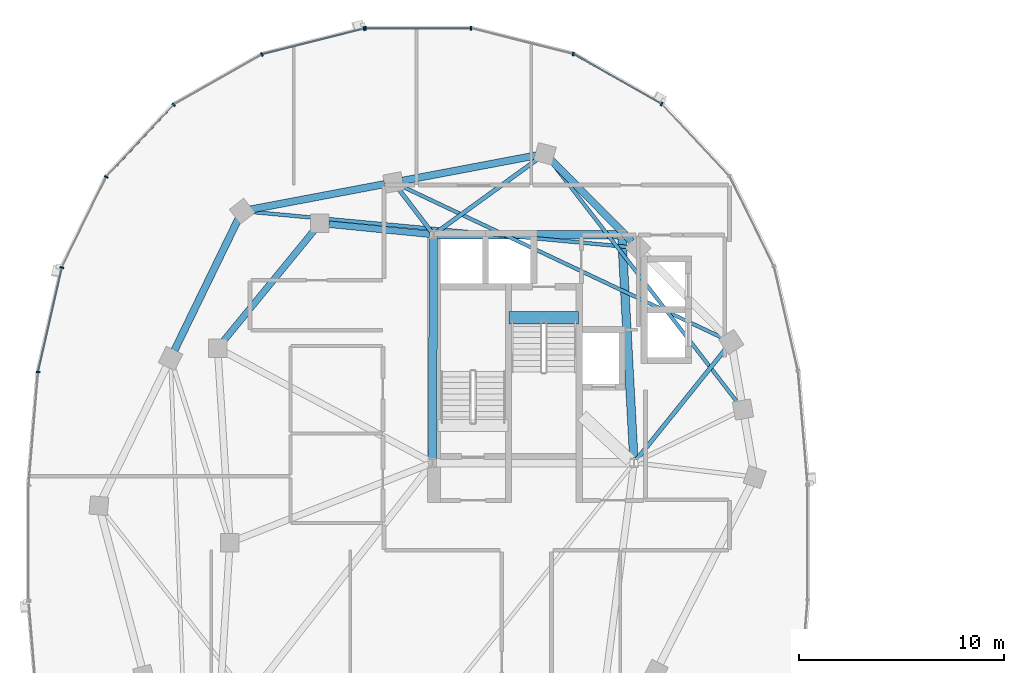
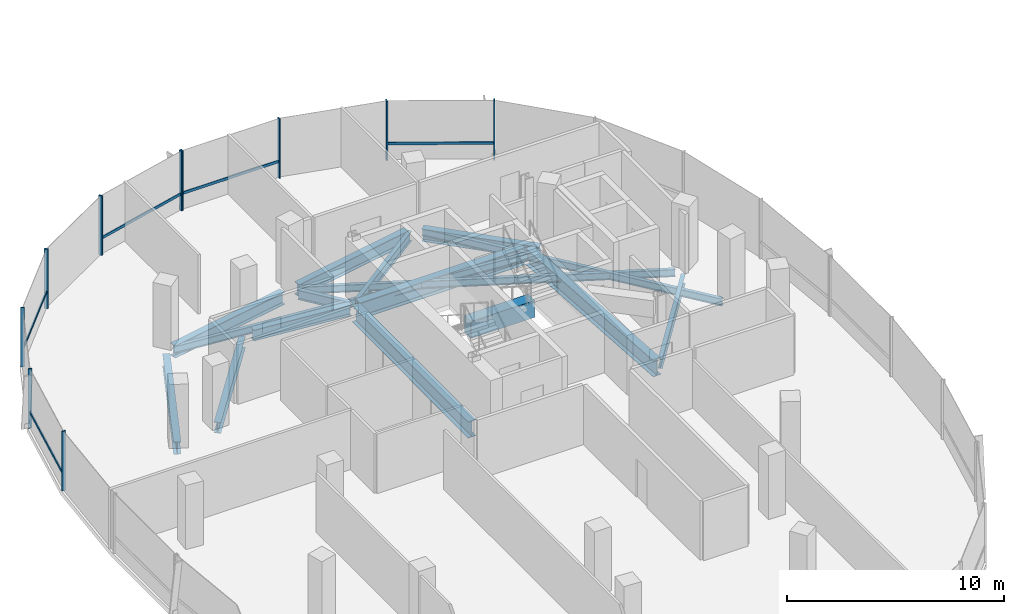
# One storey, part 6 of 25: 16 beams, 15 members, 2 elements without a shape of their own.
"""IFC4 building model written with IfcOpenShell, lengths in metres."""

from ifc_helpers import new_model, si_unit, direction, frame, origin, origin_2d, place, context, subcontext, project, spatial, rectangle, i_section, extrude, material, material_profile, profile_set, type_object, element, aggregate, save


model = new_model("IFC4")

# Units and contexts
model_context = context("Model", 3, precision=1e-05, world=origin(), true_north=direction((0.0, 1.0)))
body_context = subcontext(model_context, "Body", "Model", "MODEL_VIEW")
ifc_project = project(units=[si_unit("LENGTHUNIT", "METRE"), si_unit("AREAUNIT", "SQUARE_METRE"), si_unit("VOLUMEUNIT", "CUBIC_METRE"), si_unit("PLANEANGLEUNIT", "RADIAN"), si_unit("MASSUNIT", "GRAM", prefix="KILO"), si_unit("THERMODYNAMICTEMPERATUREUNIT", "KELVIN"), si_unit("POWERUNIT", "WATT")], contexts=[model_context])

# Site, building, storey
site_placement = place(None, origin())
site = spatial("IfcSite", under=ifc_project, at=site_placement, CompositionType="ELEMENT")
building_placement = place(site_placement, origin())
building = spatial("IfcBuilding", under=site, at=building_placement, Name="Cundina Bronze Exchange", CompositionType="ELEMENT")
storey_placement = place(building_placement, frame((0.0, 0.0, 199.0)))
storey = spatial("IfcBuildingStorey", under=building, at=storey_placement, Name="L52", CompositionType="ELEMENT", Elevation=199.0)

# Beams
ifc_material_1 = material(Name="Concrete C60/75", Category="concrete")
ifc_material_profile_1 = material_profile(ifc_material_1, rectangle(XDim=0.60009765625, YDim=0.949951171875, at=origin_2d()), Name="RC600X950", Category="concrete")
ifc_profile_set_1 = profile_set([ifc_material_profile_1], Name="Concrete C60/75")
beam_type_1 = type_object("IfcBeamType", Name="BM-COUP-RC950", PredefinedType="LINTEL", material=ifc_profile_set_1)
beam_1_placement = place(storey_placement, frame((-27.56005859375, 10.97998046875, -0.47509765625), z_axis=(1.0, 0.0, 0.0), x_axis=(0.0, 1.0, 0.0)))
element("IfcBeam", 1, at=beam_1_placement, inside=storey, type_object=beam_type_1, Name="L52 Stair W2 Landing Header Beam", PredefinedType="LINTEL", context=body_context, shape_type="SweptSolid", body=[
    extrude(rectangle(XDim=0.60009765625, YDim=0.949951171875, at=origin_2d()), origin(), (0.0, 0.0, 1.0), 3.400146484375),
])
ifc_material_2 = material(Name="Steel ASTM A992 Grade 50", Category="steel")
ifc_material_profile_2 = material_profile(ifc_material_2, i_section(OverallWidth=0.2119140625, OverallDepth=0.5439453125, WebThickness=0.01318359375, FlangeThickness=0.021240234375, FilletRadius=0.013916015625, at=origin_2d()), Name="W21X83", Category="steel")
ifc_profile_set_2 = profile_set([ifc_material_profile_2], Name="Steel ASTM A992 Grade 50")
beam_type_2 = type_object("IfcBeamType", Name="BM-FLR-W21A", PredefinedType="BEAM", material=ifc_profile_set_2)
beam_2_placement = place(storey_placement, frame((-21.3271484375, 4.052734375, -0.531982421875), z_axis=(0.627128630072, 0.778915708755, 0.0), x_axis=(-0.778915708755, 0.627128630072, 0.0)))
element("IfcBeam", 2, at=beam_2_placement, inside=storey, type_object=beam_type_2, Name="L52 Leg W Radial Floor Beam 02", PredefinedType="BEAM", context=body_context, shape_type="SweptSolid", body=[
    extrude(i_section(OverallWidth=0.2119140625, OverallDepth=0.5439453125, WebThickness=0.01318359375, FlangeThickness=0.021240234375, FilletRadius=0.013916015625, at=origin_2d()), origin(), (0.0, 0.0, 1.0), 6.9404296875),
])
beam_3_placement = place(storey_placement, frame((-31.09130859375, 15.1650390625, -0.531982421875), z_axis=(0.809709858543, 0.586830422677, 0.0), x_axis=(-0.586830422677, 0.809709858543, 0.0)))
element("IfcBeam", 3, at=beam_3_placement, inside=storey, type_object=beam_type_2, Name="L52 Leg W Radial Floor Beam 04", PredefinedType="BEAM", context=body_context, shape_type="SweptSolid", body=[
    extrude(i_section(OverallWidth=0.2119140625, OverallDepth=0.5439453125, WebThickness=0.01318359375, FlangeThickness=0.021240234375, FilletRadius=0.013916015625, at=origin_2d()), origin(), (0.0, 0.0, 1.0), 6.096923828125),
])
beam_4_placement = place(storey_placement, frame((-31.369140625, 15.205810546875, -0.531982421875), z_axis=(-0.60740437517, 0.794392802727, 0.0), x_axis=(-0.794392802727, -0.60740437517, 0.0)))
element("IfcBeam", 4, at=beam_4_placement, inside=storey, type_object=beam_type_2, Name="L52 Leg W Radial Floor Beam 05", PredefinedType="BEAM", context=body_context, shape_type="SweptSolid", body=[
    extrude(i_section(OverallWidth=0.2119140625, OverallDepth=0.5439453125, WebThickness=0.01318359375, FlangeThickness=0.021240234375, FilletRadius=0.013916015625, at=origin_2d()), origin(), (0.0, 0.0, 1.0), 2.575927734375),
])
ifc_material_profile_3 = material_profile(ifc_material_2, i_section(OverallWidth=0.178955078125, OverallDepth=0.409912109375, WebThickness=0.0087890625, FlangeThickness=0.014404296875, FilletRadius=0.010986328125, at=origin_2d()), Name="W16X45", Category="steel")
ifc_profile_set_3 = profile_set([ifc_material_profile_3], Name="Steel ASTM A992 Grade 50")
beam_type_3 = type_object("IfcBeamType", Name="BM-JST-W16", PredefinedType="JOIST", material=ifc_profile_set_3)
beam_5_placement = place(storey_placement, frame((-16.39306640625, 6.846435546875, -0.465087890625), z_axis=(-0.612085793291, 0.790791364174, 0.0), x_axis=(-0.790791364174, -0.612085793291, 0.0)))
element("IfcBeam", 5, at=beam_5_placement, inside=storey, type_object=beam_type_3, Name="L52 Leg W Lobe Floor Joist 01-04", PredefinedType="JOIST", context=body_context, shape_type="SweptSolid", body=[
    extrude(i_section(OverallWidth=0.178955078125, OverallDepth=0.409912109375, WebThickness=0.0087890625, FlangeThickness=0.014404296875, FilletRadius=0.010986328125, at=origin_2d()), origin(), (0.0, 0.0, 1.0), 14.9306640625),
])
beam_6_placement = place(storey_placement, frame((-17.095947265625, 9.9873046875, -0.465087890625), z_axis=(-0.904073747204, 0.427376484632, 0.0), x_axis=(-0.427376484632, -0.904073747204, 0.0)))
element("IfcBeam", 6, at=beam_6_placement, inside=storey, type_object=beam_type_3, Name="L52 Leg W Lobe Floor Joist 02-05", PredefinedType="JOIST", context=body_context, shape_type="SweptSolid", body=[
    extrude(i_section(OverallWidth=0.178955078125, OverallDepth=0.409912109375, WebThickness=0.0087890625, FlangeThickness=0.014404296875, FilletRadius=0.010986328125, at=origin_2d()), origin(), (0.0, 0.0, 1.0), 17.374755859375),
])
beam_7_placement = place(storey_placement, frame((-21.68603515625, 14.440673828125, -0.465087890625), z_axis=(-0.9957017803, 0.092617302415, 0.0), x_axis=(-0.092617302415, -0.9957017803, 0.0)))
element("IfcBeam", 7, at=beam_7_placement, inside=storey, type_object=beam_type_3, Name="L52 Leg W Lobe Floor Joist 03-06", PredefinedType="JOIST", context=body_context, shape_type="SweptSolid", body=[
    extrude(i_section(OverallWidth=0.178955078125, OverallDepth=0.409912109375, WebThickness=0.0087890625, FlangeThickness=0.014404296875, FilletRadius=0.010986328125, at=origin_2d()), origin(), (0.0, 0.0, 1.0), 18.5576171875),
])
ifc_material_profile_4 = material_profile(ifc_material_2, i_section(OverallWidth=0.324951171875, OverallDepth=0.615966796875, WebThickness=0.013916015625, FlangeThickness=0.021484375, FilletRadius=0.01611328125, at=origin_2d()), Name="W24X117", Category="steel")
ifc_profile_set_4 = profile_set([ifc_material_profile_4], Name="Steel ASTM A992 Grade 50")
beam_type_4 = type_object("IfcBeamType", Name="BM-RING-W24", PredefinedType="USERDEFINED", material=ifc_profile_set_4)
beam_8_placement = place(storey_placement, frame((-31.445068359375, 15.0693359375, -0.568115234375), z_axis=(-0.995123854478, 0.09863323096, 0.0), x_axis=(-0.09863323096, -0.995123854478, 0.0)))
element("IfcBeam", 8, at=beam_8_placement, inside=storey, type_object=beam_type_4, Name="L52 W Inner Structural Ring Girder 01", ObjectType="GIRDER", PredefinedType="USERDEFINED", context=body_context, shape_type="SweptSolid", body=[
    extrude(i_section(OverallWidth=0.324951171875, OverallDepth=0.615966796875, WebThickness=0.013916015625, FlangeThickness=0.021484375, FilletRadius=0.01611328125, at=origin_2d()), origin(), (0.0, 0.0, 1.0), 4.943115234375),
])
beam_9_placement = place(storey_placement, frame((-37.07763671875, 15.26123046875, -0.568115234375), z_axis=(-0.633912590175, -0.77340469873, 0.0), x_axis=(0.77340469873, -0.633912590175, 0.0)))
element("IfcBeam", 9, at=beam_9_placement, inside=storey, type_object=beam_type_4, Name="L52 W Inner Structural Ring Girder 02", ObjectType="GIRDER", PredefinedType="USERDEFINED", context=body_context, shape_type="SweptSolid", body=[
    extrude(i_section(OverallWidth=0.324951171875, OverallDepth=0.615966796875, WebThickness=0.013916015625, FlangeThickness=0.021484375, FilletRadius=0.01611328125, at=origin_2d()), origin(), (0.0, 0.0, 1.0), 7.01123046875),
])
ifc_material_profile_5 = material_profile(ifc_material_2, i_section(OverallWidth=0.35498046875, OverallDepth=0.695068359375, WebThickness=0.015380859375, FlangeThickness=0.02490234375, FilletRadius=0.01806640625, at=origin_2d()), Name="W27X146", Category="steel")
ifc_profile_set_5 = profile_set([ifc_material_profile_5], Name="Steel ASTM A992 Grade 50")
beam_type_5 = type_object("IfcBeamType", Name="BM-RING-W27", PredefinedType="USERDEFINED", material=ifc_profile_set_5)
beam_10_placement = place(storey_placement, frame((-21.55810546875, 14.71142578125, -0.607421875), z_axis=(-0.703211928763, 0.710980297368, 0.0), x_axis=(-0.710980297368, -0.703211928763, 0.0)))
element("IfcBeam", 10, at=beam_10_placement, inside=storey, type_object=beam_type_5, Name="L52 W Perimeter Ring Girder 03", ObjectType="GIRDER", PredefinedType="USERDEFINED", context=body_context, shape_type="SweptSolid", body=[
    extrude(i_section(OverallWidth=0.35498046875, OverallDepth=0.695068359375, WebThickness=0.015380859375, FlangeThickness=0.02490234375, FilletRadius=0.01806640625, at=origin_2d()), origin(), (0.0, 0.0, 1.0), 5.593994140625),
])
beam_11_placement = place(storey_placement, frame((-26.23046875, 18.918701171875, -0.607421875), z_axis=(-0.982565174657, -0.185918470175, 0.0), x_axis=(0.185918470175, -0.982565174657, 0.0)))
element("IfcBeam", 11, at=beam_11_placement, inside=storey, type_object=beam_type_5, Name="L52 W Perimeter Ring Girder 04", ObjectType="GIRDER", PredefinedType="USERDEFINED", context=body_context, shape_type="SweptSolid", body=[
    extrude(i_section(OverallWidth=0.35498046875, OverallDepth=0.695068359375, WebThickness=0.015380859375, FlangeThickness=0.02490234375, FilletRadius=0.01806640625, at=origin_2d()), origin(), (0.0, 0.0, 1.0), 6.655029296875),
])
beam_12_placement = place(storey_placement, frame((-33.63037109375, 17.5185546875, -0.607421875), z_axis=(-0.982573143022, -0.185876353022, 0.0), x_axis=(0.185876353022, -0.982573143022, 0.0)))
element("IfcBeam", 12, at=beam_12_placement, inside=storey, type_object=beam_type_5, Name="L52 W Perimeter Ring Girder 05", ObjectType="GIRDER", PredefinedType="USERDEFINED", context=body_context, shape_type="SweptSolid", body=[
    extrude(i_section(OverallWidth=0.35498046875, OverallDepth=0.695068359375, WebThickness=0.015380859375, FlangeThickness=0.02490234375, FilletRadius=0.01806640625, at=origin_2d()), origin(), (0.0, 0.0, 1.0), 6.6552734375),
])
beam_13_placement = place(storey_placement, frame((-40.79150390625, 15.80615234375, -0.607421875), z_axis=(-0.437173087764, -0.89937739094, 0.0), x_axis=(0.89937739094, -0.437173087764, 0.0)))
element("IfcBeam", 13, at=beam_13_placement, inside=storey, type_object=beam_type_5, Name="L52 W Perimeter Ring Girder 06", ObjectType="GIRDER", PredefinedType="USERDEFINED", context=body_context, shape_type="SweptSolid", body=[
    extrude(i_section(OverallWidth=0.35498046875, OverallDepth=0.695068359375, WebThickness=0.015380859375, FlangeThickness=0.02490234375, FilletRadius=0.01806640625, at=origin_2d()), origin(), (0.0, 0.0, 1.0), 7.1298828125),
])
ifc_material_profile_6 = material_profile(ifc_material_2, i_section(OverallWidth=0.41796875, OverallDepth=0.927001953125, WebThickness=0.019287109375, FlangeThickness=0.031982421875, FilletRadius=0.02392578125, at=origin_2d()), Name="W36X231", Category="steel")
ifc_profile_set_6 = profile_set([ifc_material_profile_6], Name="Steel ASTM A992 Grade 50")
beam_type_6 = type_object("IfcBeamType", Name="BM-WRN-W36B", PredefinedType="USERDEFINED", material=ifc_profile_set_6)
beam_14_placement = place(storey_placement, frame((-21.46044921875, 4.095703125, -0.723388671875), z_axis=(-0.053749317644, 0.998554460634, 0.0), x_axis=(-0.998554460634, -0.053749317644, 0.0)))
element("IfcBeam", 14, at=beam_14_placement, inside=storey, type_object=beam_type_6, Name="L52 W Core Perimeter Tie Girder 2", ObjectType="GIRDER", PredefinedType="USERDEFINED", context=body_context, shape_type="SweptSolid", body=[
    extrude(i_section(OverallWidth=0.41796875, OverallDepth=0.927001953125, WebThickness=0.019287109375, FlangeThickness=0.031982421875, FilletRadius=0.02392578125, at=origin_2d()), origin(), (0.0, 0.0, 1.0), 10.774169921875),
])
beam_15_placement = place(storey_placement, frame((-22.24609375, 15.050048828125, -0.723388671875), z_axis=(-1.0, 0.0, 0.0), x_axis=(0.0, -1.0, 0.0)))
element("IfcBeam", 15, at=beam_15_placement, inside=storey, type_object=beam_type_6, Name="L52 W Core Perimeter Tie Girder 3", ObjectType="GIRDER", PredefinedType="USERDEFINED", context=body_context, shape_type="SweptSolid", body=[
    extrude(i_section(OverallWidth=0.41796875, OverallDepth=0.927001953125, WebThickness=0.019287109375, FlangeThickness=0.031982421875, FilletRadius=0.02392578125, at=origin_2d()), origin(), (0.0, 0.0, 1.0), 8.807861328125),
])
beam_16_placement = place(storey_placement, frame((-31.2509765625, 14.85400390625, -0.723388671875), z_axis=(-0.004470623654, -0.999990006712, 0.0), x_axis=(0.999990006712, -0.004470623654, 0.0)))
element("IfcBeam", 16, at=beam_16_placement, inside=storey, type_object=beam_type_6, Name="L52 W Core Perimeter Tie Girder 4", ObjectType="GIRDER", PredefinedType="USERDEFINED", context=body_context, shape_type="SweptSolid", body=[
    extrude(i_section(OverallWidth=0.41796875, OverallDepth=0.927001953125, WebThickness=0.019287109375, FlangeThickness=0.031982421875, FilletRadius=0.02392578125, at=origin_2d()), origin(), (0.0, 0.0, 1.0), 10.758056640625),
])

# Curtain wall, members
ifc_material_3 = material(Name="Anodised Bronze Aluminium 6063-T6", Category="aluminium")
curtain_wall_type = type_object("IfcCurtainWallType", Name="CWS-UPP-OFF", PredefinedType="NOTDEFINED", material=ifc_material_3)
curtain_wall_1_placement = place(storey_placement, origin())
curtain_wall_1 = element("IfcCurtainWall", 17, at=curtain_wall_1_placement, inside=storey, type_object=curtain_wall_type, Name="L52 CW-05 Curtain Wall Run CWR-L52-W1", PredefinedType="NOTDEFINED")
ifc_material_profile_7 = material_profile(ifc_material_3, rectangle(XDim=0.070068359375, YDim=0.18994140625, at=origin_2d()), Name="AL70X190", Category="aluminium")
ifc_profile_set_7 = profile_set([ifc_material_profile_7], Name="Anodised Bronze Aluminium 6063-T6")
member_type_1 = type_object("IfcMemberType", Name="CWM-MUL-190", PredefinedType="MULLION", material=ifc_profile_set_7)
member_1_placement = place(storey_placement, frame((-20.100341796875, 21.43115234375, 0.0), z_axis=(0.0, 0.0, 1.0), x_axis=(-0.86958112538, 0.493790103568, 0.0)))
member_1 = element("IfcMember", 18, at=member_1_placement, type_object=member_type_1, Name="CW-05 Mullion 5", PredefinedType="MULLION", context=body_context, shape_type="SweptSolid", body=[
    extrude(rectangle(XDim=0.070068359375, YDim=0.18994140625, at=origin_2d()), origin(), (0.0, 0.0, 1.0), 3.340087890625),
])
member_2_placement = place(storey_placement, frame((-24.422607421875, 23.87548828125, 0.0), z_axis=(0.0, 0.0, 1.0), x_axis=(-0.969744325821, 0.244122802168, 0.0)))
member_2 = element("IfcMember", 19, at=member_2_placement, type_object=member_type_1, Name="CW-05 Mullion 6", PredefinedType="MULLION", context=body_context, shape_type="SweptSolid", body=[
    extrude(rectangle(XDim=0.070068359375, YDim=0.18994140625, at=origin_2d()), origin(), (0.0, 0.0, 1.0), 3.340087890625),
])
member_3_placement = place(storey_placement, frame((-29.419921875, 25.125, 0.0), z_axis=(0.0, 0.0, 1.0), x_axis=(-1.0, 0.0, 0.0)))
member_3 = element("IfcMember", 20, at=member_3_placement, type_object=member_type_1, Name="CW-05 Mullion 7", PredefinedType="MULLION", context=body_context, shape_type="SweptSolid", body=[
    extrude(rectangle(XDim=0.070068359375, YDim=0.18994140625, at=origin_2d()), origin(), (0.0, 0.0, 1.0), 3.340087890625),
])
member_4_placement = place(storey_placement, frame((-34.580078125, 25.125, 0.0), z_axis=(0.0, 0.0, 1.0), x_axis=(-1.0, 0.0, 0.0)))
member_4 = element("IfcMember", 21, at=member_4_placement, type_object=member_type_1, Name="CW-05 End Mullion", PredefinedType="MULLION", context=body_context, shape_type="SweptSolid", body=[
    extrude(rectangle(XDim=0.070068359375, YDim=0.18994140625, at=origin_2d()), origin(), (0.0, 0.0, 1.0), 3.340087890625),
])

curtain_wall_2_placement = place(storey_placement, origin())
curtain_wall_2 = element("IfcCurtainWall", 22, at=curtain_wall_2_placement, inside=storey, type_object=curtain_wall_type, Name="L52 CW-05 Curtain Wall Run CWR-L52-W2", PredefinedType="NOTDEFINED")
member_5_placement = place(storey_placement, frame((-34.6484375, 25.116455078125, 0.0), z_axis=(0.0, 0.0, 1.0), x_axis=(-0.969744325821, -0.244122802168, 0.0)))
member_5 = element("IfcMember", 23, at=member_5_placement, type_object=member_type_1, Name="CW-05 Mullion 1", PredefinedType="MULLION", context=body_context, shape_type="SweptSolid", body=[
    extrude(rectangle(XDim=0.070068359375, YDim=0.18994140625, at=origin_2d()), origin(), (0.0, 0.0, 1.0), 3.340087890625),
])
member_6_placement = place(storey_placement, frame((-39.638916015625, 23.850830078125, 0.0), z_axis=(0.0, 0.0, 1.0), x_axis=(-0.86958112538, -0.493790103568, 0.0)))
member_6 = element("IfcMember", 24, at=member_6_placement, type_object=member_type_1, Name="CW-05 Mullion 2", PredefinedType="MULLION", context=body_context, shape_type="SweptSolid", body=[
    extrude(rectangle(XDim=0.070068359375, YDim=0.18994140625, at=origin_2d()), origin(), (0.0, 0.0, 1.0), 3.340087890625),
])
member_7_placement = place(storey_placement, frame((-43.94873046875, 21.392578125, 0.0), z_axis=(0.0, 0.0, 1.0), x_axis=(-0.684292606175, -0.729207535023, 0.0)))
member_7 = element("IfcMember", 25, at=member_7_placement, type_object=member_type_1, Name="CW-05 Mullion 3", PredefinedType="MULLION", context=body_context, shape_type="SweptSolid", body=[
    extrude(rectangle(XDim=0.070068359375, YDim=0.18994140625, at=origin_2d()), origin(), (0.0, 0.0, 1.0), 3.340087890625),
])
member_8_placement = place(storey_placement, frame((-47.245361328125, 17.866455078125, 0.0), z_axis=(0.0, 0.0, 1.0), x_axis=(-0.440566004113, -0.897720221461, 0.0)))
member_8 = element("IfcMember", 26, at=member_8_placement, type_object=member_type_1, Name="CW-05 Mullion 4", PredefinedType="MULLION", context=body_context, shape_type="SweptSolid", body=[
    extrude(rectangle(XDim=0.070068359375, YDim=0.18994140625, at=origin_2d()), origin(), (0.0, 0.0, 1.0), 3.340087890625),
])
member_9_placement = place(storey_placement, frame((-49.40771484375, 13.440673828125, 0.0), z_axis=(0.0, 0.0, 1.0), x_axis=(-0.223250116011, -0.974761194191, 0.0)))
member_9 = element("IfcMember", 27, at=member_9_placement, type_object=member_type_1, Name="CW-05 Mullion 5", PredefinedType="MULLION", context=body_context, shape_type="SweptSolid", body=[
    extrude(rectangle(XDim=0.070068359375, YDim=0.18994140625, at=origin_2d()), origin(), (0.0, 0.0, 1.0), 3.340087890625),
])
member_10_placement = place(storey_placement, frame((-50.572509765625, 8.33056640625, 0.0), z_axis=(0.0, 0.0, 1.0), x_axis=(-0.083677843332, -0.99649285925, 0.0)))
member_10 = element("IfcMember", 28, at=member_10_placement, type_object=member_type_1, Name="CW-05 Mullion 6", PredefinedType="MULLION", context=body_context, shape_type="SweptSolid", body=[
    extrude(rectangle(XDim=0.070068359375, YDim=0.18994140625, at=origin_2d()), origin(), (0.0, 0.0, 1.0), 3.340087890625),
])

# Member
ifc_material_profile_8 = material_profile(ifc_material_3, rectangle(XDim=0.06494140625, YDim=0.14990234375, at=origin_2d()), Name="AL65X150", Category="aluminium")
ifc_profile_set_8 = profile_set([ifc_material_profile_8], Name="Anodised Bronze Aluminium 6063-T6")
member_type_2 = type_object("IfcMemberType", Name="CWM-TRN-150", PredefinedType="USERDEFINED", material=ifc_profile_set_8)
member_11_placement = place(storey_placement, frame((-20.1337890625, 21.4501953125, 0.919921875), z_axis=(-0.869573748083, 0.493803095013, 0.0), x_axis=(-0.493803095013, -0.869573748083, 0.0)))
member_11 = element("IfcMember", 29, at=member_11_placement, type_object=member_type_2, Name="CW-05 Spandrel Transom 5", ObjectType="TRANSOM", PredefinedType="USERDEFINED", context=body_context, shape_type="SweptSolid", body=[
    extrude(rectangle(XDim=0.06494140625, YDim=0.14990234375, at=origin_2d()), origin(), (0.0, 0.0, 1.0), 4.900146484375),
])

member_12_placement = place(storey_placement, frame((-29.45849609375, 25.125, 0.919921875), z_axis=(-1.0, 0.0, 0.0), x_axis=(0.0, -1.0, 0.0)))
member_12 = element("IfcMember", 30, at=member_12_placement, type_object=member_type_2, Name="CW-05 Spandrel Transom 7", ObjectType="TRANSOM", PredefinedType="USERDEFINED", context=body_context, shape_type="SweptSolid", body=[
    extrude(rectangle(XDim=0.06494140625, YDim=0.14990234375, at=origin_2d()), origin(), (0.0, 0.0, 1.0), 5.0830078125),
])

aggregate(curtain_wall_1, [member_1, member_11, member_2, member_3, member_4, member_12])

member_13_placement = place(storey_placement, frame((-34.685791015625, 25.107177734375, 0.919921875), z_axis=(-0.969725738797, -0.244196624699, 0.0), x_axis=(0.244196624699, -0.969725738797, 0.0)))
member_13 = element("IfcMember", 31, at=member_13_placement, type_object=member_type_2, Name="CW-05 Spandrel Transom 1", ObjectType="TRANSOM", PredefinedType="USERDEFINED", context=body_context, shape_type="SweptSolid", body=[
    extrude(rectangle(XDim=0.06494140625, YDim=0.14990234375, at=origin_2d()), origin(), (0.0, 0.0, 1.0), 5.082763671875),
])

member_14_placement = place(storey_placement, frame((-43.97509765625, 21.364501953125, 0.919921875), z_axis=(-0.684336416554, -0.729166420633, 0.0), x_axis=(0.729166420633, -0.684336416554, 0.0)))
member_14 = element("IfcMember", 32, at=member_14_placement, type_object=member_type_2, Name="CW-05 Spandrel Transom 3", ObjectType="TRANSOM", PredefinedType="USERDEFINED", context=body_context, shape_type="SweptSolid", body=[
    extrude(rectangle(XDim=0.06494140625, YDim=0.14990234375, at=origin_2d()), origin(), (0.0, 0.0, 1.0), 4.76513671875),
])

member_15_placement = place(storey_placement, frame((-49.41650390625, 13.403076171875, 0.919921875), z_axis=(-0.22328343579, -0.974753562344, 0.0), x_axis=(0.974753562344, -0.22328343579, 0.0)))
member_15 = element("IfcMember", 33, at=member_15_placement, type_object=member_type_2, Name="CW-05 Spandrel Transom 5", ObjectType="TRANSOM", PredefinedType="USERDEFINED", context=body_context, shape_type="SweptSolid", body=[
    extrude(rectangle(XDim=0.06494140625, YDim=0.14990234375, at=origin_2d()), origin(), (0.0, 0.0, 1.0), 5.159912109375),
])

aggregate(curtain_wall_2, [member_5, member_13, member_6, member_7, member_14, member_8, member_9, member_15, member_10])

save(model, "model.ifc")
